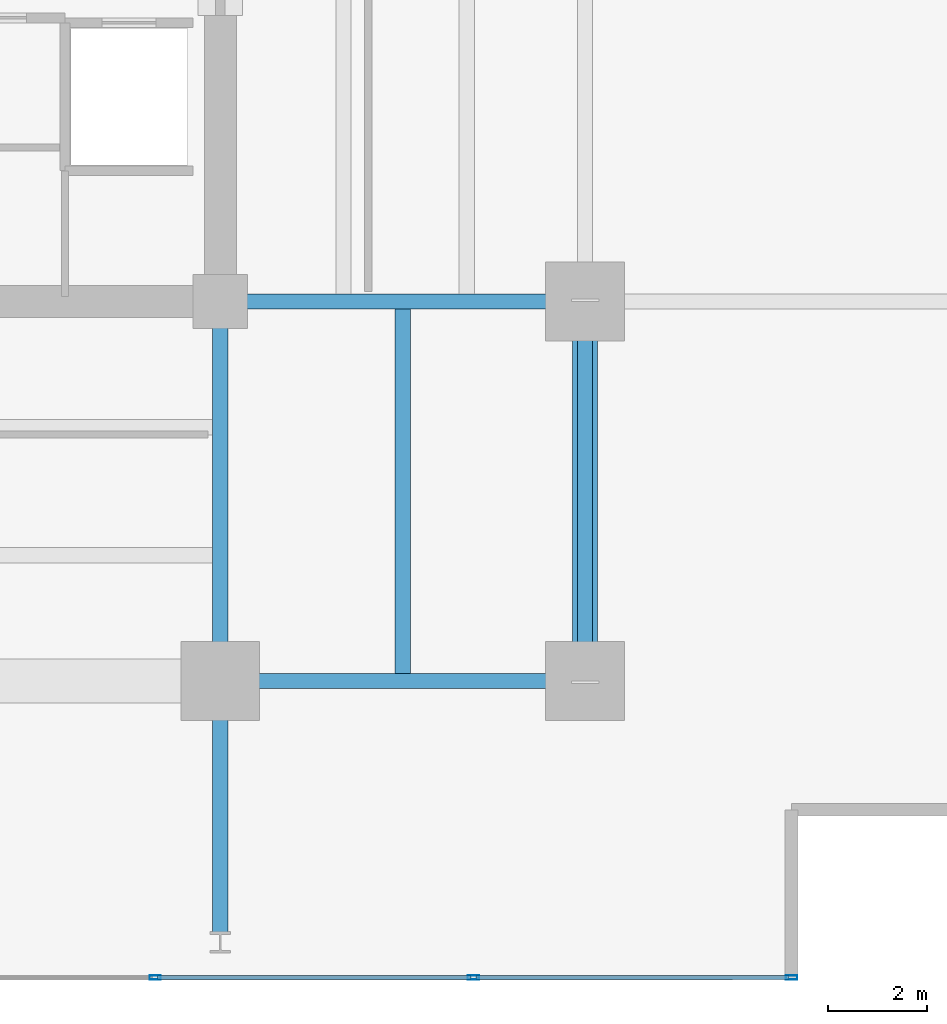
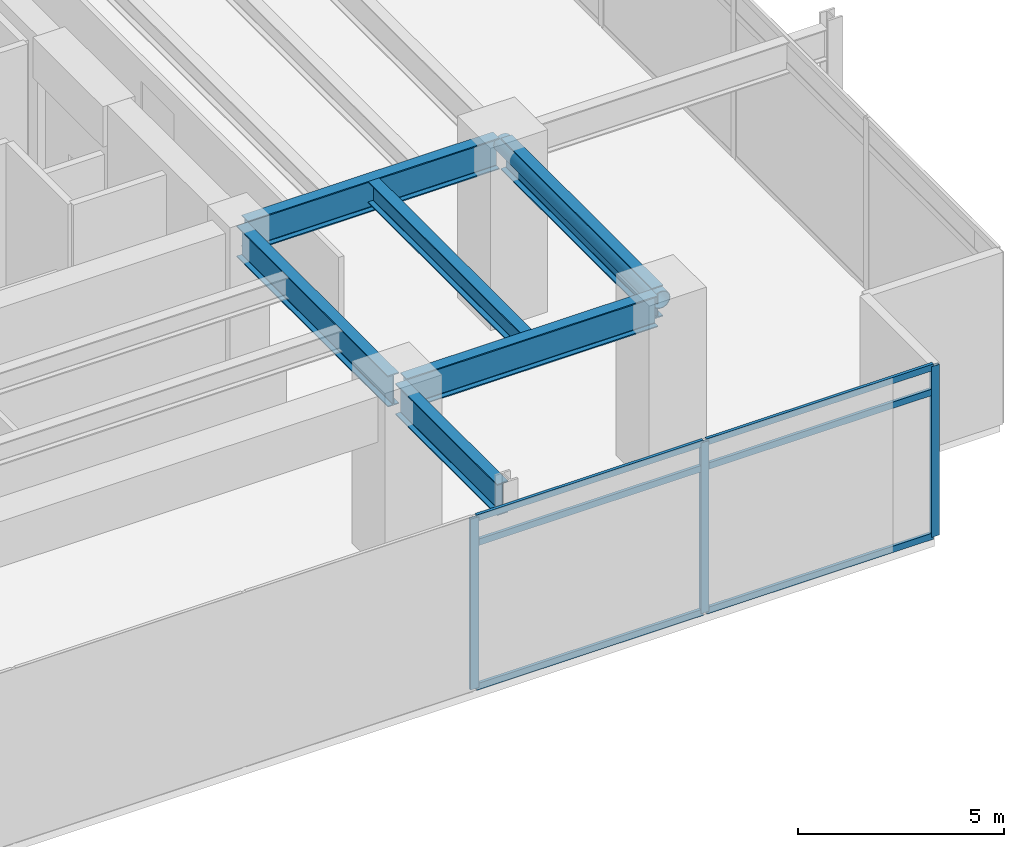
# One storey, part 8 of 23: 10 members, 6 beams, 1 element without a shape of its own.
"""IFC4 building model written with IfcOpenShell, lengths in metres."""

from ifc_helpers import new_model, si_unit, direction, frame, origin, origin_2d, place, context, subcontext, project, spatial, hollow_rectangle, hollow_circle, i_section, extrude, material, material_profile, profile_set, type_object, element, aggregate, save


model = new_model("IFC4")

# Units and contexts
model_context = context("Model", 3, precision=1e-05, world=origin(), true_north=direction((0.0, 1.0)))
body_context = subcontext(model_context, "Body", "Model", "MODEL_VIEW")
ifc_project = project(units=[si_unit("LENGTHUNIT", "METRE"), si_unit("AREAUNIT", "SQUARE_METRE"), si_unit("VOLUMEUNIT", "CUBIC_METRE"), si_unit("PLANEANGLEUNIT", "RADIAN"), si_unit("MASSUNIT", "GRAM", prefix="KILO")], contexts=[model_context])

# Site, building, storey
site_placement = place(None, origin())
site = spatial("IfcSite", under=ifc_project, at=site_placement, CompositionType="ELEMENT")
building_placement = place(site_placement, origin())
building = spatial("IfcBuilding", under=site, at=building_placement, Name="Kovane Verandah Tower", CompositionType="ELEMENT")
storey_placement = place(building_placement, frame((0.0, 0.0, 107.60009765625)))
storey = spatial("IfcBuildingStorey", under=building, at=storey_placement, Name="L25", CompositionType="ELEMENT", Elevation=107.60009765625)

# Beams
ifc_material_1 = material(Name="Steel S460", Category="steel")
ifc_material_profile_1 = material_profile(ifc_material_1, i_section(OverallWidth=0.311279296875, OverallDepth=0.6357421875, WebThickness=0.018310546875, FlangeThickness=0.031494140625, FilletRadius=0.0166015625, at=origin_2d()), Name="UB610x305x238")
ifc_profile_set_1 = profile_set([ifc_material_profile_1], Name="Steel S460")
beam_type_1 = type_object("IfcBeamType", Name="BM-UB610x238", PredefinedType="BEAM", material=ifc_profile_set_1)
beam_1_placement = place(storey_placement, frame((54.699951171875, 10.951904296875, 4.781982421875), z_axis=(0.0, 1.0, 0.0), x_axis=(-1.0, 0.0, 0.0)))
element("IfcBeam", 1, at=beam_1_placement, inside=storey, type_object=beam_type_1, Name="L25 Secondary Composite Joist J-SE1", PredefinedType="BEAM", context=body_context, shape_type="SweptSolid", body=[
    extrude(i_section(OverallWidth=0.311279296875, OverallDepth=0.6357421875, WebThickness=0.018310546875, FlangeThickness=0.031494140625, FilletRadius=0.0166015625, at=origin_2d()), origin(), (0.0, 0.0, 1.0), 7.396240234375),
])
ifc_material_profile_2 = material_profile(ifc_material_1, i_section(OverallWidth=0.3076171875, OverallDepth=0.926513671875, WebThickness=0.01953125, FlangeThickness=0.031982421875, FilletRadius=0.01904296875, at=origin_2d()), Name="UB914x305x289")
ifc_profile_set_2 = profile_set([ifc_material_profile_2], Name="Steel S460")
beam_type_2 = type_object("IfcBeamType", Name="BM-UB914x289", PredefinedType="BEAM", material=ifc_profile_set_2)
beam_2_placement = place(storey_placement, frame((51.179931640625, 10.800048828125, 4.63671875), z_axis=(1.0, 0.0, 0.0), x_axis=(0.0, 1.0, 0.0)))
element("IfcBeam", 2, at=beam_2_placement, inside=storey, type_object=beam_type_2, Name="L25 Primary Tower Girder G-RS3", PredefinedType="BEAM", context=body_context, shape_type="SweptSolid", body=[
    extrude(i_section(OverallWidth=0.3076171875, OverallDepth=0.926513671875, WebThickness=0.01953125, FlangeThickness=0.031982421875, FilletRadius=0.01904296875, at=origin_2d()), origin(), (0.0, 0.0, 1.0), 7.0400390625),
])
beam_3_placement = place(storey_placement, frame((58.39990234375, 10.97998046875, 4.63671875), z_axis=(0.0, 1.0, 0.0), x_axis=(-1.0, 0.0, 0.0)))
element("IfcBeam", 3, at=beam_3_placement, inside=storey, type_object=beam_type_2, Name="L25 Primary Tower Girder G-RE1", PredefinedType="BEAM", context=body_context, shape_type="SweptSolid", body=[
    extrude(i_section(OverallWidth=0.3076171875, OverallDepth=0.926513671875, WebThickness=0.01953125, FlangeThickness=0.031982421875, FilletRadius=0.01904296875, at=origin_2d()), origin(), (0.0, 0.0, 1.0), 7.340087890625),
])
beam_4_placement = place(storey_placement, frame((51.179931640625, 18.5, 4.63671875), z_axis=(1.0, 0.0, 0.0), x_axis=(0.0, 1.0, 0.0)))
element("IfcBeam", 4, at=beam_4_placement, inside=storey, type_object=beam_type_2, Name="L25 Primary Tower Girder G-E1", PredefinedType="BEAM", context=body_context, shape_type="SweptSolid", body=[
    extrude(i_section(OverallWidth=0.3076171875, OverallDepth=0.926513671875, WebThickness=0.01953125, FlangeThickness=0.031982421875, FilletRadius=0.01904296875, at=origin_2d()), origin(), (0.0, 0.0, 1.0), 7.0400390625),
])
beam_5_placement = place(storey_placement, frame((51.0, 18.320068359375, 4.63671875), z_axis=(0.0, -1.0, 0.0), x_axis=(1.0, 0.0, 0.0)))
element("IfcBeam", 5, at=beam_5_placement, inside=storey, type_object=beam_type_2, Name="L25 Primary Tower Girder G-S2", PredefinedType="BEAM", context=body_context, shape_type="SweptSolid", body=[
    extrude(i_section(OverallWidth=0.3076171875, OverallDepth=0.926513671875, WebThickness=0.01953125, FlangeThickness=0.031982421875, FilletRadius=0.01904296875, at=origin_2d()), origin(), (0.0, 0.0, 1.0), 7.340087890625),
])
beam_6_placement = place(storey_placement, frame((51.0, 10.6201171875, 4.63671875), z_axis=(0.0, -1.0, 0.0), x_axis=(1.0, 0.0, 0.0)))
element("IfcBeam", 6, at=beam_6_placement, inside=storey, type_object=beam_type_2, Name="L25 Primary Tower Girder G-VS2", PredefinedType="BEAM", context=body_context, shape_type="SweptSolid", body=[
    extrude(i_section(OverallWidth=0.3076171875, OverallDepth=0.926513671875, WebThickness=0.01953125, FlangeThickness=0.031982421875, FilletRadius=0.01904296875, at=origin_2d()), origin(), (0.0, 0.0, 1.0), 4.940185546875),
])

# Curtain wall, members
ifc_material_2 = material(Name="Champagne Anodised Aluminium Frame with Low-E Clear Laminated Glass", Category="aluminium")
curtain_wall_type = type_object("IfcCurtainWallType", Name="CW-SYS-02-LOW", PredefinedType="NOTDEFINED", material=ifc_material_2)
curtain_wall_placement = place(storey_placement, origin())
curtain_wall = element("IfcCurtainWall", 7, at=curtain_wall_placement, inside=storey, type_object=curtain_wall_type, Name="L25 S Unitised Curtain Wall", PredefinedType="NOTDEFINED")
ifc_material_3 = material(Name="Champagne Anodised Aluminium 6063-T6", Category="aluminium")
ifc_material_profile_3 = material_profile(ifc_material_3, hollow_rectangle(XDim=0.0849609375, YDim=0.22998046875, WallThickness=0.00390625, at=origin_2d()), Name="AL85x230x4")
ifc_profile_set_3 = profile_set([ifc_material_profile_3], Name="Champagne Anodised Aluminium 6063-T6")
member_type_1 = type_object("IfcMemberType", Name="CW-MUL-85x230", PredefinedType="MULLION", material=ifc_profile_set_3)
member_1_placement = place(storey_placement, frame((49.68017578125, 4.7890625, 0.02001953125), z_axis=(0.0, 0.0, 1.0), x_axis=(0.0, -1.0, 0.0)))
member_1 = element("IfcMember", 8, at=member_1_placement, type_object=member_type_1, Name="L25 S Unitised Curtain Wall Mullion 6", PredefinedType="MULLION", context=body_context, shape_type="SweptSolid", body=[
    extrude(hollow_rectangle(XDim=0.0849609375, YDim=0.22998046875, WallThickness=0.00390625, at=origin_2d()), origin(), (0.0, 0.0, 1.0), 5.059814453125),
])
member_2_placement = place(storey_placement, frame((56.133544921875, 4.7890625, 0.02001953125), z_axis=(0.0, 0.0, 1.0), x_axis=(0.0, -1.0, 0.0)))
member_2 = element("IfcMember", 9, at=member_2_placement, type_object=member_type_1, Name="L25 S Unitised Curtain Wall Mullion 7", PredefinedType="MULLION", context=body_context, shape_type="SweptSolid", body=[
    extrude(hollow_rectangle(XDim=0.0849609375, YDim=0.22998046875, WallThickness=0.00390625, at=origin_2d()), origin(), (0.0, 0.0, 1.0), 5.059814453125),
])
member_3_placement = place(storey_placement, frame((62.5869140625, 4.7890625, 0.02001953125), z_axis=(0.0, 0.0, 1.0), x_axis=(0.0, -1.0, 0.0)))
member_3 = element("IfcMember", 10, at=member_3_placement, type_object=member_type_1, Name="L25 S Unitised Curtain Wall Mullion 8", PredefinedType="MULLION", context=body_context, shape_type="SweptSolid", body=[
    extrude(hollow_rectangle(XDim=0.0849609375, YDim=0.22998046875, WallThickness=0.00390625, at=origin_2d()), origin(), (0.0, 0.0, 1.0), 5.059814453125),
])
ifc_material_profile_4 = material_profile(ifc_material_3, hollow_rectangle(XDim=0.0849609375, YDim=0.18994140625, WallThickness=0.00390625, at=origin_2d()), Name="AL85x190x4")
ifc_profile_set_4 = profile_set([ifc_material_profile_4], Name="Champagne Anodised Aluminium 6063-T6")
member_type_2 = type_object("IfcMemberType", Name="CW-TRN-85x190", PredefinedType="USERDEFINED", material=ifc_profile_set_4)
member_4_placement = place(storey_placement, frame((49.72998046875, 4.7890625, 0.0498046875), z_axis=(1.0, 0.0, 0.0), x_axis=(0.0, 1.0, 0.0)))
member_4 = element("IfcMember", 11, at=member_4_placement, type_object=member_type_2, Name="L25 S Unitised Curtain Wall Transom TB Bay 6", ObjectType="TRANSOM", PredefinedType="USERDEFINED", context=body_context, shape_type="SweptSolid", body=[
    extrude(hollow_rectangle(XDim=0.0849609375, YDim=0.18994140625, WallThickness=0.00390625, at=origin_2d()), origin(), (0.0, 0.0, 1.0), 6.353515625),
])
member_5_placement = place(storey_placement, frame((49.72998046875, 4.7890625, 4.31982421875), z_axis=(1.0, 0.0, 0.0), x_axis=(0.0, 1.0, 0.0)))
member_5 = element("IfcMember", 12, at=member_5_placement, type_object=member_type_2, Name="L25 S Unitised Curtain Wall Transom TM Bay 6", ObjectType="TRANSOM", PredefinedType="USERDEFINED", context=body_context, shape_type="SweptSolid", body=[
    extrude(hollow_rectangle(XDim=0.0849609375, YDim=0.18994140625, WallThickness=0.00390625, at=origin_2d()), origin(), (0.0, 0.0, 1.0), 6.353515625),
])
member_6_placement = place(storey_placement, frame((49.72998046875, 4.7890625, 5.0498046875), z_axis=(1.0, 0.0, 0.0), x_axis=(0.0, 1.0, 0.0)))
member_6 = element("IfcMember", 13, at=member_6_placement, type_object=member_type_2, Name="L25 S Unitised Curtain Wall Transom TT Bay 6", ObjectType="TRANSOM", PredefinedType="USERDEFINED", context=body_context, shape_type="SweptSolid", body=[
    extrude(hollow_rectangle(XDim=0.0849609375, YDim=0.18994140625, WallThickness=0.00390625, at=origin_2d()), origin(), (0.0, 0.0, 1.0), 6.353515625),
])
member_7_placement = place(storey_placement, frame((56.18359375, 4.7890625, 0.0498046875), z_axis=(1.0, 0.0, 0.0), x_axis=(0.0, 1.0, 0.0)))
member_7 = element("IfcMember", 14, at=member_7_placement, type_object=member_type_2, Name="L25 S Unitised Curtain Wall Transom TB Bay 7", ObjectType="TRANSOM", PredefinedType="USERDEFINED", context=body_context, shape_type="SweptSolid", body=[
    extrude(hollow_rectangle(XDim=0.0849609375, YDim=0.18994140625, WallThickness=0.00390625, at=origin_2d()), origin(), (0.0, 0.0, 1.0), 6.353515625),
])
member_8_placement = place(storey_placement, frame((56.18359375, 4.7890625, 4.31982421875), z_axis=(1.0, 0.0, 0.0), x_axis=(0.0, 1.0, 0.0)))
member_8 = element("IfcMember", 15, at=member_8_placement, type_object=member_type_2, Name="L25 S Unitised Curtain Wall Transom TM Bay 7", ObjectType="TRANSOM", PredefinedType="USERDEFINED", context=body_context, shape_type="SweptSolid", body=[
    extrude(hollow_rectangle(XDim=0.0849609375, YDim=0.18994140625, WallThickness=0.00390625, at=origin_2d()), origin(), (0.0, 0.0, 1.0), 6.353515625),
])
member_9_placement = place(storey_placement, frame((56.18359375, 4.7890625, 5.0498046875), z_axis=(1.0, 0.0, 0.0), x_axis=(0.0, 1.0, 0.0)))
member_9 = element("IfcMember", 16, at=member_9_placement, type_object=member_type_2, Name="L25 S Unitised Curtain Wall Transom TT Bay 7", ObjectType="TRANSOM", PredefinedType="USERDEFINED", context=body_context, shape_type="SweptSolid", body=[
    extrude(hollow_rectangle(XDim=0.0849609375, YDim=0.18994140625, WallThickness=0.00390625, at=origin_2d()), origin(), (0.0, 0.0, 1.0), 6.353515625),
])
aggregate(curtain_wall, [member_1, member_2, member_3, member_4, member_5, member_6, member_7, member_8, member_9])

# Member
ifc_material_profile_5 = material_profile(ifc_material_1, hollow_circle(Radius=0.25390625, WallThickness=0.02001953125, at=origin_2d()), Name="CHS508x20")
ifc_profile_set_5 = profile_set([ifc_material_profile_5], Name="Steel S460")
member_type_3 = type_object("IfcMemberType", Name="MEM-BR-CHS508", PredefinedType="BRACE", material=ifc_profile_set_5)
member_10_placement = place(storey_placement, frame((58.39990234375, 10.800048828125, 4.81982421875), z_axis=(0.0, 1.0, 0.0), x_axis=(-1.0, 0.0, 0.0)))
element("IfcMember", 17, at=member_10_placement, inside=storey, type_object=member_type_3, Name="L25 Belt-Truss Ring Chord BE1", PredefinedType="BRACE", context=body_context, shape_type="SweptSolid", body=[
    extrude(hollow_circle(Radius=0.25390625, WallThickness=0.02001953125, at=origin_2d()), origin(), (0.0, 0.0, 1.0), 7.699951171875),
])

save(model, "model.ifc")
